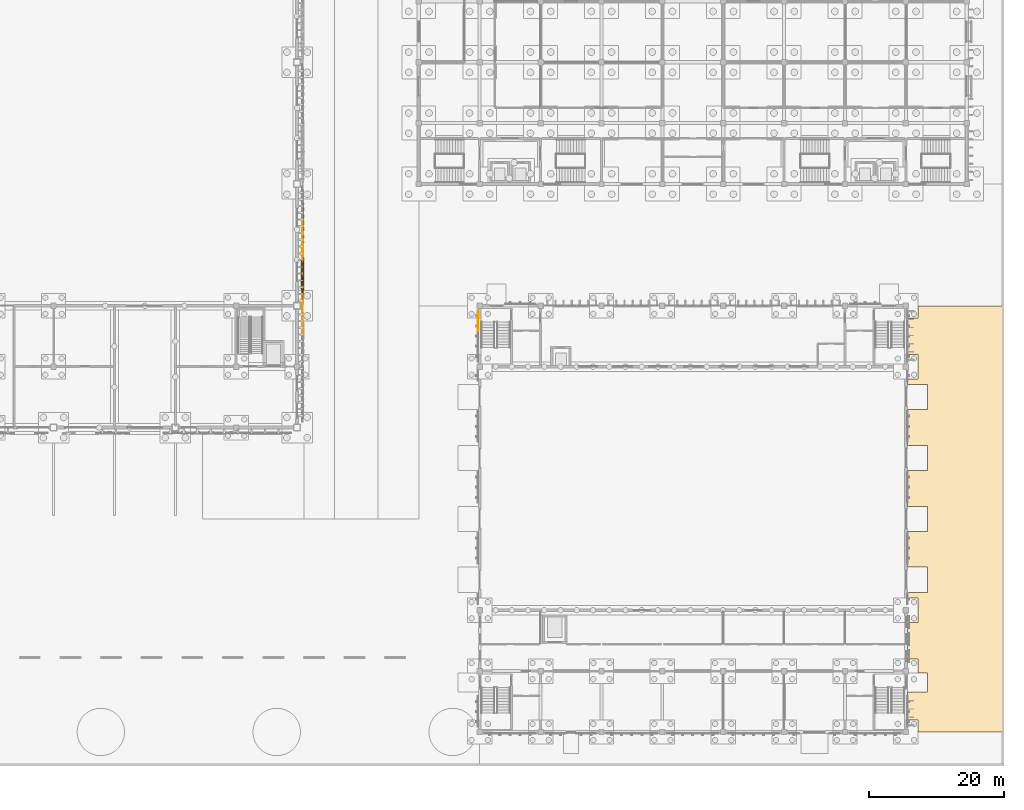
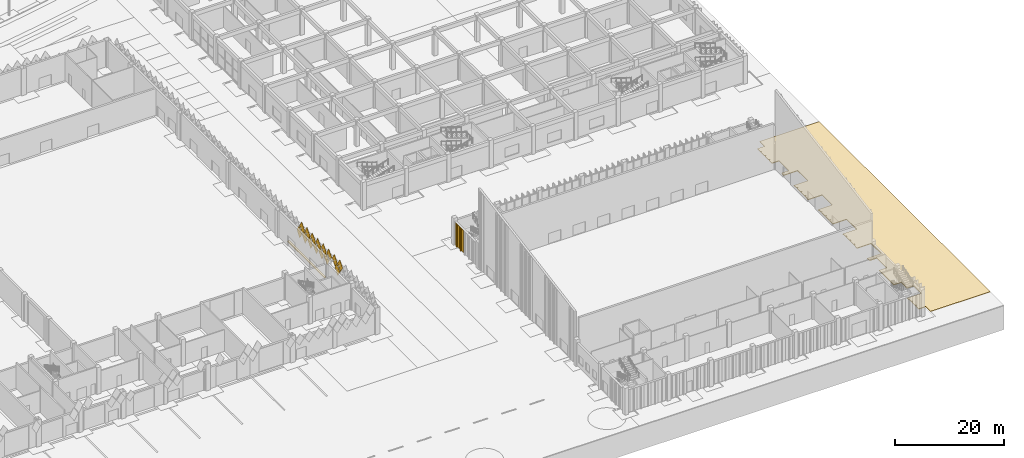
# One storey, part 182 of 198: 19 coverings.
"""IFC4 building model written with IfcOpenShell, lengths in metres."""

from ifc_helpers import new_model, si_unit, direction, frame, origin, place, context, subcontext, project, spatial, polyline, outline, extrude, material, layer, layer_set, material_profile, profile_set, type_object, element, save


model = new_model("IFC4")

# Units and contexts
model_context = context("Model", 3, precision=1e-05, world=origin(), true_north=direction((0.0, 1.0)))
body_context = subcontext(model_context, "Body", "Model", "MODEL_VIEW")
ifc_project = project(units=[si_unit("LENGTHUNIT", "METRE"), si_unit("AREAUNIT", "SQUARE_METRE"), si_unit("VOLUMEUNIT", "CUBIC_METRE"), si_unit("PLANEANGLEUNIT", "RADIAN"), si_unit("MASSUNIT", "GRAM", prefix="KILO")], contexts=[model_context])

# Site, building, storey
site_placement = place(None, origin())
site = spatial("IfcSite", under=ifc_project, at=site_placement, CompositionType="ELEMENT")
building_placement = place(site_placement, origin())
building = spatial("IfcBuilding", under=site, at=building_placement, Name="Opaline Strait Convention Centre", CompositionType="ELEMENT")
storey_placement = place(building_placement, origin())
storey = spatial("IfcBuildingStorey", under=building, at=storey_placement, Name="L00", CompositionType="ELEMENT", Elevation=0.0)

# Coverings
ifc_material_1 = material(Name="Asphalt road surfacing")
ifc_layer_1 = layer(ifc_material_1, 0.14990234375)
ifc_layer_set_1 = layer_set([ifc_layer_1], Name="Asphalt road surfacing")
covering_type_1 = type_object("IfcCoveringType", Name="Asphalt road surfacing 150", PredefinedType="FLOORING", material=ifc_layer_set_1)
covering_1_placement = place(storey_placement, frame((0.0, 0.0, -0.14990234375)))
element("IfcCovering", 1, at=covering_1_placement, inside=storey, type_object=covering_type_1, Name="Ballroom Service Court surfacing", PredefinedType="FLOORING", context=body_context, shape_type="SweptSolid", body=[
    extrude(outline(polyline([(365.5, 9.0), (365.5, 72.0), (352.804931640625, 72.0), (352.804931640625, 70.195068359375), (351.284912109375, 70.195068359375), (351.284912109375, 69.7548828125), (351.284912109375, 69.7451171875), (351.284912109375, 69.080078125), (351.5048828125, 69.080078125), (351.5048828125, 68.919921875), (351.284912109375, 68.919921875), (351.284912109375, 68.2548828125), (351.284912109375, 68.2451171875), (351.284912109375, 67.580078125), (351.5048828125, 67.580078125), (351.5048828125, 67.419921875), (351.284912109375, 67.419921875), (351.284912109375, 66.7548828125), (351.284912109375, 66.7451171875), (351.284912109375, 66.080078125), (351.5048828125, 66.080078125), (351.5048828125, 65.919921875), (351.284912109375, 65.919921875), (351.284912109375, 65.2548828125), (351.284912109375, 65.2451171875), (351.284912109375, 64.804931640625), (352.804931640625, 64.804931640625), (352.804931640625, 61.195068359375), (351.284912109375, 61.195068359375), (351.284912109375, 60.89501953125), (351.205078125, 60.89501953125), (351.205078125, 60.35498046875), (354.205078125, 60.35498046875), (354.205078125, 56.64501953125), (351.205078125, 56.64501953125), (351.205078125, 56.405029296875), (351.284912109375, 56.405029296875), (351.284912109375, 55.72998046875), (351.5048828125, 55.72998046875), (351.5048828125, 55.570068359375), (351.284912109375, 55.570068359375), (351.284912109375, 54.905029296875), (351.284912109375, 54.89501953125), (351.284912109375, 54.22998046875), (351.5048828125, 54.22998046875), (351.5048828125, 54.070068359375), (351.284912109375, 54.070068359375), (351.284912109375, 53.405029296875), (351.284912109375, 53.39501953125), (351.284912109375, 52.72998046875), (351.5048828125, 52.72998046875), (351.5048828125, 52.570068359375), (351.284912109375, 52.570068359375), (351.284912109375, 51.89501953125), (351.205078125, 51.89501953125), (351.205078125, 51.35498046875), (354.205078125, 51.35498046875), (354.205078125, 47.64501953125), (351.205078125, 47.64501953125), (351.205078125, 47.405029296875), (351.284912109375, 47.405029296875), (351.284912109375, 46.72998046875), (351.5048828125, 46.72998046875), (351.5048828125, 46.570068359375), (351.284912109375, 46.570068359375), (351.284912109375, 45.905029296875), (351.284912109375, 45.89501953125), (351.284912109375, 45.22998046875), (351.5048828125, 45.22998046875), (351.5048828125, 45.070068359375), (351.284912109375, 45.070068359375), (351.284912109375, 44.405029296875), (351.284912109375, 44.39501953125), (351.284912109375, 43.72998046875), (351.5048828125, 43.72998046875), (351.5048828125, 43.570068359375), (351.284912109375, 43.570068359375), (351.284912109375, 42.89501953125), (351.205078125, 42.89501953125), (351.205078125, 42.35498046875), (354.205078125, 42.35498046875), (354.205078125, 38.64501953125), (351.205078125, 38.64501953125), (351.205078125, 38.405029296875), (351.284912109375, 38.405029296875), (351.284912109375, 37.72998046875), (351.5048828125, 37.72998046875), (351.5048828125, 37.570068359375), (351.284912109375, 37.570068359375), (351.284912109375, 36.905029296875), (351.284912109375, 36.89501953125), (351.284912109375, 36.22998046875), (351.5048828125, 36.22998046875), (351.5048828125, 36.070068359375), (351.284912109375, 36.070068359375), (351.284912109375, 35.405029296875), (351.284912109375, 35.39501953125), (351.284912109375, 34.72998046875), (351.5048828125, 34.72998046875), (351.5048828125, 34.570068359375), (351.284912109375, 34.570068359375), (351.284912109375, 33.89501953125), (351.205078125, 33.89501953125), (351.205078125, 33.35498046875), (354.205078125, 33.35498046875), (354.205078125, 29.64501953125), (351.205078125, 29.64501953125), (351.205078125, 29.405029296875), (351.284912109375, 29.405029296875), (351.284912109375, 28.804931640625), (352.804931640625, 28.804931640625), (352.804931640625, 25.195068359375), (351.205078125, 25.195068359375), (351.205078125, 19.804931640625), (352.804931640625, 19.804931640625), (352.804931640625, 17.705078125), (354.205078125, 17.705078125), (354.205078125, 14.89501953125), (351.205078125, 14.89501953125), (351.205078125, 14.2548828125), (351.284912109375, 14.2548828125), (351.284912109375, 13.580078125), (351.5048828125, 13.580078125), (351.5048828125, 13.419921875), (351.284912109375, 13.419921875), (351.284912109375, 12.7548828125), (351.284912109375, 12.7451171875), (351.284912109375, 12.080078125), (351.5048828125, 12.080078125), (351.5048828125, 11.919921875), (351.284912109375, 11.919921875), (351.284912109375, 11.2548828125), (351.284912109375, 11.2451171875), (351.284912109375, 10.804931640625), (352.804931640625, 10.804931640625), (352.804931640625, 9.0), (365.5, 9.0)])), origin(), (0.0, 0.0, 1.0), 0.14990234375),
])
ifc_material_2 = material(Name="White ceramic-faced aluminium tile", Category="aluminium")
ifc_material_profile_1 = material_profile(ifc_material_2, outline(polyline([(0.927978515625, 0.0), (0.0, 1.39208984375), (-0.927978515625, 0.0), (0.0, -1.39208984375), (0.927978515625, 0.0)])), Name="Diamond tile 1856x2784")
ifc_profile_set_1 = profile_set([ifc_material_profile_1], Name="White ceramic-faced aluminium tile")
covering_type_2 = type_object("IfcCoveringType", Name="Diamond wall tile 1856x2784x30 pivot 2 deg", PredefinedType="CLADDING", material=ifc_profile_set_1)
covering_2_placement = place(storey_placement, frame((261.800048828125, 68.75, 5.89208984375), z_axis=(0.999471633277, 0.0, 0.032503142546), x_axis=(0.0, 1.0, 0.0)))
element("IfcCovering", 2, at=covering_2_placement, inside=storey, type_object=covering_type_2, Name="Wall tile XT04 E", PredefinedType="CLADDING", context=body_context, shape_type="SweptSolid", body=[
    extrude(outline(polyline([(0.927978515625, 0.0), (0.0, 1.39208984375), (-0.927978515625, 0.0), (0.0, -1.39208984375), (0.927978515625, 0.0)])), origin(), (0.0, 0.0, 1.0), 0.030029296875),
])
ifc_material_profile_2 = material_profile(ifc_material_2, outline(polyline([(0.927978515625, 0.0), (0.0, 1.39208984375), (-0.927978515625, 0.0), (0.0, -1.39208984375), (0.927978515625, 0.0)])), Name="Diamond tile 1856x2784")
ifc_profile_set_2 = profile_set([ifc_material_profile_2], Name="White ceramic-faced aluminium tile")
covering_type_3 = type_object("IfcCoveringType", Name="Diamond wall tile 1856x2784x30 pivot 2.5 deg", PredefinedType="CLADDING", material=ifc_profile_set_2)
covering_3_placement = place(storey_placement, frame((261.800048828125, 83.75, 4.39208984375), z_axis=(0.999174794796, 0.0, 0.040616861577), x_axis=(0.0, 1.0, 0.0)))
element("IfcCovering", 3, at=covering_3_placement, inside=storey, type_object=covering_type_3, Name="Wall tile XT05 E", PredefinedType="CLADDING", context=body_context, shape_type="SweptSolid", body=[
    extrude(outline(polyline([(0.927978515625, 0.0), (0.0, 1.39208984375), (-0.927978515625, 0.0), (0.0, -1.39208984375), (0.927978515625, 0.0)])), origin(), (0.0, 0.0, 1.0), 0.030029296875),
])
ifc_material_profile_3 = material_profile(ifc_material_2, outline(polyline([(0.927978515625, 0.0), (0.0, 1.39208984375), (-0.927978515625, 0.0), (0.0, -1.39208984375), (0.927978515625, 0.0)])), Name="Diamond tile 1856x2784")
ifc_profile_set_3 = profile_set([ifc_material_profile_3], Name="White ceramic-faced aluminium tile")
covering_type_4 = type_object("IfcCoveringType", Name="Diamond wall tile 1856x2784x30 pivot 3 deg", PredefinedType="CLADDING", material=ifc_profile_set_3)
for number, where, z_axis, x_axis, name in (
    (4, (261.800048828125, 69.75, 4.39208984375), (0.998812351125, 0.0, 0.048722553713), (0.0, 1.0, 0.0), "Wall tile XT06 E"),
    (5, (261.800048828125, 81.75, 4.39208984375), (0.998812351125, 0.0, 0.048722553713), (0.0, 1.0, 0.0), "Wall tile XT06 E"),
):
    element("IfcCovering", number, at=place(storey_placement, frame(where, z_axis=z_axis, x_axis=x_axis)), inside=storey, type_object=covering_type_4, Name=name, PredefinedType="CLADDING", context=body_context, shape_type="SweptSolid", body=[
        extrude(outline(polyline([(0.927978515625, 0.0), (0.0, 1.39208984375), (-0.927978515625, 0.0), (0.0, -1.39208984375), (0.927978515625, 0.0)])), origin(), (0.0, 0.0, 1.0), 0.030029296875),
    ])
ifc_material_profile_4 = material_profile(ifc_material_2, outline(polyline([(0.927978515625, 0.0), (0.0, 1.39208984375), (-0.927978515625, 0.0), (0.0, -1.39208984375), (0.927978515625, 0.0)])), Name="Diamond tile 1856x2784")
ifc_profile_set_4 = profile_set([ifc_material_profile_4], Name="White ceramic-faced aluminium tile")
covering_type_5 = type_object("IfcCoveringType", Name="Diamond wall tile 1856x2784x30 pivot 3.5 deg", PredefinedType="CLADDING", material=ifc_profile_set_4)
for number, where, z_axis, x_axis, name in (
    (6, (261.800048828125, 70.75, 5.89208984375), (0.99835799028, 0.0, 0.057282835508), (0.0, 1.0, 0.0), "Wall tile XT07 E"),
    (7, (261.800048828125, 82.75, 5.89208984375), (0.99835799028, 0.0, 0.057282835508), (0.0, 1.0, 0.0), "Wall tile XT07 E"),
):
    element("IfcCovering", number, at=place(storey_placement, frame(where, z_axis=z_axis, x_axis=x_axis)), inside=storey, type_object=covering_type_5, Name=name, PredefinedType="CLADDING", context=body_context, shape_type="SweptSolid", body=[
        extrude(outline(polyline([(0.927978515625, 0.0), (0.0, 1.39208984375), (-0.927978515625, 0.0), (0.0, -1.39208984375), (0.927978515625, 0.0)])), origin(), (0.0, 0.0, 1.0), 0.02978515625),
    ])
ifc_material_profile_5 = material_profile(ifc_material_2, outline(polyline([(0.927978515625, 0.0), (0.0, 1.39208984375), (-0.927978515625, 0.0), (0.0, -1.39208984375), (0.927978515625, 0.0)])), Name="Diamond tile 1856x2784")
ifc_profile_set_5 = profile_set([ifc_material_profile_5], Name="White ceramic-faced aluminium tile")
covering_type_6 = type_object("IfcCoveringType", Name="Diamond wall tile 1856x2784x30 pivot 5 deg", PredefinedType="CLADDING", material=ifc_profile_set_5)
for number, where, z_axis, x_axis, name in (
    (8, (261.800048828125, 79.75, 4.39208984375), (0.996657521232, 0.0, 0.081693239445), (0.0, 1.0, 0.0), "Wall tile XT10 E"),
    (9, (261.800048828125, 72.75, 5.89208984375), (0.996657521232, 0.0, 0.081693239445), (0.0, 1.0, 0.0), "Wall tile XT10 E"),
    (10, (261.800048828125, 80.75, 5.89208984375), (0.996657521232, 0.0, 0.081693239445), (0.0, 1.0, 0.0), "Wall tile XT10 E"),
):
    element("IfcCovering", number, at=place(storey_placement, frame(where, z_axis=z_axis, x_axis=x_axis)), inside=storey, type_object=covering_type_6, Name=name, PredefinedType="CLADDING", context=body_context, shape_type="SweptSolid", body=[
        extrude(outline(polyline([(0.927978515625, 0.0), (0.0, 1.39208984375), (-0.927978515625, 0.0), (0.0, -1.39208984375), (0.927978515625, 0.0)])), origin(), (0.0, 0.0, 1.0), 0.02978515625),
    ])
ifc_material_profile_6 = material_profile(ifc_material_2, outline(polyline([(0.927978515625, 0.0), (0.0, 1.39208984375), (-0.927978515625, 0.0), (0.0, -1.39208984375), (0.927978515625, 0.0)])), Name="Diamond tile 1856x2784")
ifc_profile_set_6 = profile_set([ifc_material_profile_6], Name="White ceramic-faced aluminium tile")
covering_type_7 = type_object("IfcCoveringType", Name="Diamond wall tile 1856x2784x30 pivot 6 deg", PredefinedType="CLADDING", material=ifc_profile_set_6)
for number, where, z_axis, x_axis, name in (
    (11, (261.800048828125, 73.75, 4.39208984375), (0.995197410875, 0.0, 0.097888269922), (0.0, 1.0, 0.0), "Wall tile XT12 E"),
    (12, (261.800048828125, 74.75, 5.89208984375), (0.995197410875, 0.0, 0.097888269922), (0.0, 1.0, 0.0), "Wall tile XT12 E"),
):
    element("IfcCovering", number, at=place(storey_placement, frame(where, z_axis=z_axis, x_axis=x_axis)), inside=storey, type_object=covering_type_7, Name=name, PredefinedType="CLADDING", context=body_context, shape_type="SweptSolid", body=[
        extrude(outline(polyline([(0.927978515625, 0.0), (0.0, 1.39208984375), (-0.927978515625, 0.0), (0.0, -1.39208984375), (0.927978515625, 0.0)])), origin(), (0.0, 0.0, 1.0), 0.030029296875),
    ])
ifc_material_profile_7 = material_profile(ifc_material_2, outline(polyline([(0.927978515625, 0.0), (0.0, 1.39208984375), (-0.927978515625, 0.0), (0.0, -1.39208984375), (0.927978515625, 0.0)])), Name="Diamond tile 1856x2784")
ifc_profile_set_7 = profile_set([ifc_material_profile_7], Name="White ceramic-faced aluminium tile")
covering_type_8 = type_object("IfcCoveringType", Name="Diamond wall tile 1856x2784x30 pivot 6.5 deg", PredefinedType="CLADDING", material=ifc_profile_set_7)
for number, where, z_axis, x_axis, name in (
    (13, (261.800048828125, 75.75, 4.39208984375), (0.993480071526, 0.0, 0.114005909847), (0.0, 1.0, 0.0), "Wall tile XT13 E"),
    (14, (261.800048828125, 77.75, 4.39208984375), (0.993480071526, 0.0, 0.114005909847), (0.0, 1.0, 0.0), "Wall tile XT13 E"),
    (15, (261.800048828125, 76.75, 5.89208984375), (0.993480071526, 0.0, 0.114005909847), (0.0, 1.0, 0.0), "Wall tile XT13 E"),
    (16, (261.800048828125, 78.75, 5.89208984375), (0.993480071526, 0.0, 0.114005909847), (0.0, 1.0, 0.0), "Wall tile XT13 E"),
):
    element("IfcCovering", number, at=place(storey_placement, frame(where, z_axis=z_axis, x_axis=x_axis)), inside=storey, type_object=covering_type_8, Name=name, PredefinedType="CLADDING", context=body_context, shape_type="SweptSolid", body=[
        extrude(outline(polyline([(0.927978515625, 0.0), (0.0, 1.39208984375), (-0.927978515625, 0.0), (0.0, -1.39208984375), (0.927978515625, 0.0)])), origin(), (0.0, 0.0, 1.0), 0.030029296875),
    ])
ifc_material_3 = material(Name="Concrete C40 precast white", Category="concrete")
ifc_layer_2 = layer(ifc_material_3, 0.300048828125)
ifc_layer_set_2 = layer_set([ifc_layer_2], Name="Concrete C40 precast white")
covering_type_9 = type_object("IfcCoveringType", Name="Ribbed precast panel white 1500", PredefinedType="CLADDING", material=ifc_layer_set_2)
covering_4_placement = place(storey_placement, origin())
element("IfcCovering", 17, at=covering_4_placement, inside=storey, type_object=covering_type_9, Name="Ribbed panel L00-W63 4", PredefinedType="CLADDING", context=body_context, shape_type="SweptSolid", body=[
    extrude(outline(polyline([(287.800048828125, 68.25), (287.800048828125, 69.75), (287.719970703125, 69.75), (287.719970703125, 69.074951171875), (287.5, 69.074951171875), (287.5, 68.925048828125), (287.719970703125, 68.925048828125), (287.719970703125, 68.25), (287.800048828125, 68.25)])), origin(), (0.0, 0.0, 1.0), 5.02001953125),
])
covering_5_placement = place(storey_placement, origin())
element("IfcCovering", 18, at=covering_5_placement, inside=storey, type_object=covering_type_9, Name="Ribbed panel L00-W63 5", PredefinedType="CLADDING", context=body_context, shape_type="SweptSolid", body=[
    extrude(outline(polyline([(287.800048828125, 69.75), (287.800048828125, 71.25), (287.719970703125, 71.25), (287.719970703125, 70.574951171875), (287.5, 70.574951171875), (287.5, 70.425048828125), (287.719970703125, 70.425048828125), (287.719970703125, 69.75), (287.800048828125, 69.75)])), origin(), (0.0, 0.0, 1.0), 5.02001953125),
])
ifc_material_4 = material(Name="Concrete C30 exposed aggregate", Category="concrete")
ifc_layer_3 = layer(ifc_material_4, 0.14990234375)
ifc_layer_set_3 = layer_set([ifc_layer_3], Name="Concrete C30 exposed aggregate")
covering_type_10 = type_object("IfcCoveringType", Name="Site paving 150", PredefinedType="FLOORING", material=ifc_layer_set_3)
covering_6_placement = place(storey_placement, frame((0.0, 0.0, -0.14990234375)))
element("IfcCovering", 19, at=covering_6_placement, inside=storey, type_object=covering_type_10, Name="Site paving surfacing", PredefinedType="FLOORING", context=body_context, shape_type="SweptSolid", body=[
    extrude(outline(polyline([(261.60498046875, 74.2548828125), (262.0, 74.2548828125), (262.0, 87.7451171875), (261.60498046875, 87.7451171875), (261.60498046875, 74.2548828125)])), origin(), (0.0, 0.0, 1.0), 0.14990234375),
])

save(model, "model.ifc")
